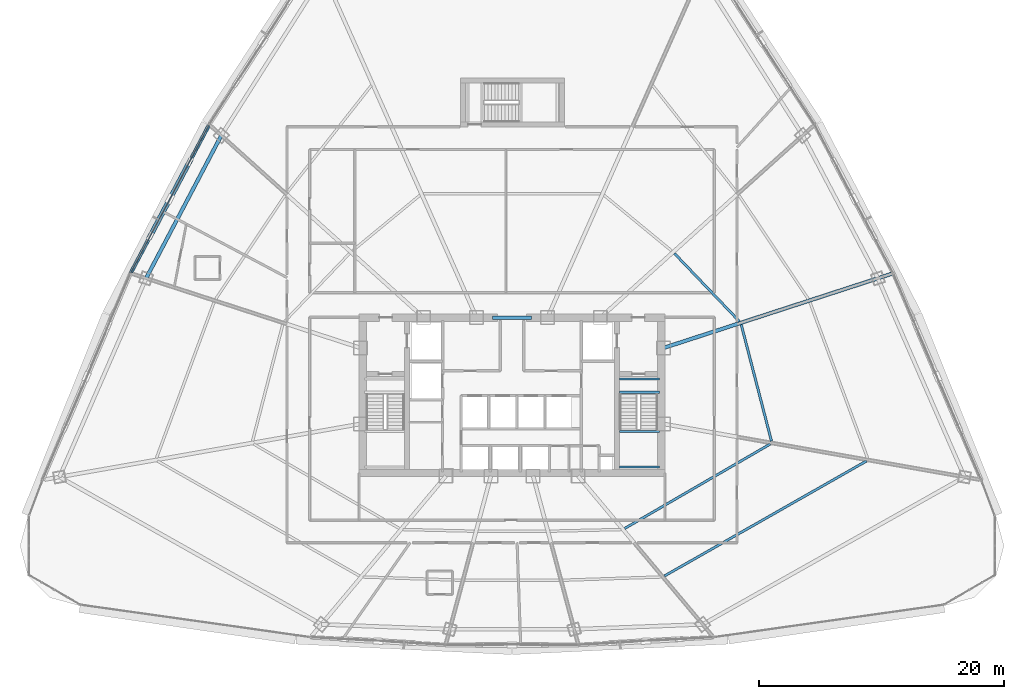
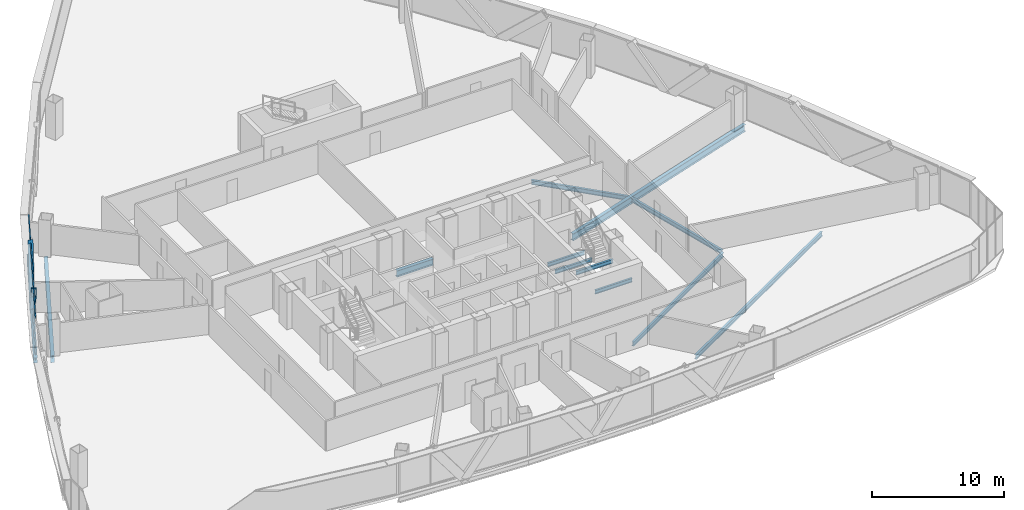
# One storey, part 17 of 42: 12 beams, 4 members, 1 element without a shape of its own.
"""IFC4 building model written with IfcOpenShell, lengths in metres."""

from ifc_helpers import new_model, si_unit, direction, frame, origin, origin_2d, place, context, subcontext, project, spatial, hollow_rectangle, i_section, extrude, source, transform, mapped, material, layer, layer_set, material_profile, profile_set, type_object, element, aggregate, save


model = new_model("IFC4")

# Units and contexts
model_context = context("Model", 3, precision=1e-05, world=origin(), true_north=direction((0.0, 1.0)))
body_context = subcontext(model_context, "Body", "Model", "MODEL_VIEW")
ifc_project = project(units=[si_unit("LENGTHUNIT", "METRE"), si_unit("AREAUNIT", "SQUARE_METRE"), si_unit("VOLUMEUNIT", "CUBIC_METRE"), si_unit("PLANEANGLEUNIT", "RADIAN"), si_unit("MASSUNIT", "GRAM", prefix="KILO"), si_unit("THERMODYNAMICTEMPERATUREUNIT", "KELVIN"), si_unit("POWERUNIT", "WATT")], contexts=[model_context])

# Site, building, storey
site_placement = place(None, origin())
site = spatial("IfcSite", under=ifc_project, at=site_placement, CompositionType="ELEMENT")
building_placement = place(site_placement, origin())
building = spatial("IfcBuilding", under=site, at=building_placement, Name="Yunzhuo Pagoda Commons", CompositionType="ELEMENT")
storey_placement = place(building_placement, frame((0.0, 0.0, 151.909912109375)))
storey = spatial("IfcBuildingStorey", under=building, at=storey_placement, Name="L38", CompositionType="ELEMENT", Elevation=151.909912109375)

# Beams
ifc_material_1 = material(Name="Structural steel Q355B", Category="steel")
ifc_material_profile_1 = material_profile(ifc_material_1, i_section(OverallWidth=0.175048828125, OverallDepth=0.35009765625, WebThickness=0.007080078125, FlangeThickness=0.010986328125, at=origin_2d()), Name="Structural steel Q355B")
ifc_profile_set_1 = profile_set([ifc_material_profile_1], Name="Structural steel Q355B")
beam_type_1 = type_object("IfcBeamType", Name="B-JS2 Joist HN 350x175x7x11", PredefinedType="JOIST", material=ifc_profile_set_1)
shared_shape_1 = source(origin(), body_context, "Body", "SweptSolid", [
    extrude(i_section(OverallWidth=0.175048828125, OverallDepth=0.35009765625, WebThickness=0.007080078125, FlangeThickness=0.010986328125, at=origin_2d()), origin(), (0.0, 0.0, 1.0), 3.25),
])
for number, where, z_axis, x_axis, name in (
    (1, (56.800048828125, 28.0, 1.465087890625), (1.0, 0.0, 0.0), (0.0, 1.0, 0.0), "L38 ST2 landing support beam 44A"),
    (2, (56.800048828125, 30.89990234375, 1.465087890625), (1.0, 0.0, 0.0), (0.0, 1.0, 0.0), "L38 ST2 landing support beam 44B"),
    (3, (56.800048828125, 34.10009765625, -0.375), (1.0, 0.0, 0.0), (0.0, 1.0, 0.0), "L38 ST2 landing support beam 142A"),
    (4, (56.800048828125, 35.199951171875, -0.375), (1.0, 0.0, 0.0), (0.0, 1.0, 0.0), "L38 ST2 landing support beam 142B"),
):
    element("IfcBeam", number, at=place(storey_placement, frame(where, z_axis=z_axis, x_axis=x_axis)), inside=storey, type_object=beam_type_1, Name=name, PredefinedType="JOIST", context=body_context, shape_type="MappedRepresentation", body=[
        mapped(shared_shape_1, transform((0.0, 0.0, 0.0), scale=1.0)),
    ])
ifc_material_2 = material(Name="Structural steel Q420B", Category="steel")
ifc_material_profile_2 = material_profile(ifc_material_2, i_section(OverallWidth=0.300048828125, OverallDepth=0.587890625, WebThickness=0.011962890625, FlangeThickness=0.02001953125, at=origin_2d()), Name="Structural steel Q420B")
ifc_profile_set_2 = profile_set([ifc_material_profile_2], Name="Structural steel Q420B")
beam_type_2 = type_object("IfcBeamType", Name="B-CPL Beam HM 588x300x12x20", PredefinedType="BEAM", material=ifc_profile_set_2)
shared_shape_2 = source(origin(), body_context, "Body", "SweptSolid", [
    extrude(i_section(OverallWidth=0.300048828125, OverallDepth=0.587890625, WebThickness=0.011962890625, FlangeThickness=0.02001953125, at=origin_2d()), origin(), (0.0, 0.0, 1.0), 3.2001953125),
])
beam_1_placement = place(storey_placement, frame((46.39990234375, 40.199951171875, -0.553955078125), z_axis=(1.0, 0.0, 0.0), x_axis=(0.0, 1.0, 0.0)))
element("IfcBeam", 5, at=beam_1_placement, inside=storey, type_object=beam_type_2, Name="L38 core coupling girder", PredefinedType="BEAM", context=body_context, shape_type="MappedRepresentation", body=[
    mapped(shared_shape_2, transform((0.0, 0.0, 0.0), scale=1.0)),
])
ifc_material_profile_3 = material_profile(ifc_material_1, i_section(OverallWidth=0.199951171875, OverallDepth=0.39990234375, WebThickness=0.008056640625, FlangeThickness=0.012939453125, at=origin_2d()), Name="Structural steel Q355B")
ifc_profile_set_3 = profile_set([ifc_material_profile_3], Name="Structural steel Q355B")
beam_type_3 = type_object("IfcBeamType", Name="B-JS1 Joist HN 400x200x8x13", PredefinedType="JOIST", material=ifc_profile_set_3)
shared_shape_3 = source(origin(), body_context, "Body", "SweptSolid", [
    extrude(i_section(OverallWidth=0.199951171875, OverallDepth=0.39990234375, WebThickness=0.008056640625, FlangeThickness=0.012939453125, at=origin_2d()), origin(), (0.0, 0.0, 1.0), 13.76416015625),
])
beam_2_placement = place(storey_placement, frame((57.2119140625, 22.96533203125, -0.4599609375), z_axis=(0.864967288101, 0.501828248025, 0.0), x_axis=(-0.501828248025, 0.864967288101, 0.0)))
element("IfcBeam", 6, at=beam_2_placement, inside=storey, type_object=beam_type_3, Name="L38 composite ring joist 1.4", PredefinedType="JOIST", context=body_context, shape_type="MappedRepresentation", body=[
    mapped(shared_shape_3, transform((0.0, 0.0, 0.0), scale=1.0)),
])
shared_shape_4 = source(origin(), body_context, "Body", "SweptSolid", [
    extrude(i_section(OverallWidth=0.199951171875, OverallDepth=0.39990234375, WebThickness=0.008056640625, FlangeThickness=0.012939453125, at=origin_2d()), origin(), (0.0, 0.0, 1.0), 19.007568359375),
])
beam_3_placement = place(storey_placement, frame((60.468017578125, 19.08447265625, -0.4599609375), z_axis=(0.869119947472, 0.494601371718, 0.0), x_axis=(-0.494601371718, 0.869119947472, 0.0)))
element("IfcBeam", 7, at=beam_3_placement, inside=storey, type_object=beam_type_3, Name="L38 composite ring joist 2.4", PredefinedType="JOIST", context=body_context, shape_type="MappedRepresentation", body=[
    mapped(shared_shape_4, transform((0.0, 0.0, 0.0), scale=1.0)),
])
shared_shape_5 = source(origin(), body_context, "Body", "SweptSolid", [
    extrude(i_section(OverallWidth=0.199951171875, OverallDepth=0.39990234375, WebThickness=0.008056640625, FlangeThickness=0.012939453125, at=origin_2d()), origin(), (0.0, 0.0, 1.0), 9.8330078125),
])
beam_4_placement = place(storey_placement, frame((69.215087890625, 30.10595703125, -0.4599609375), z_axis=(-0.251166367041, 0.967943932295, 0.0), x_axis=(-0.967943932295, -0.251166367041, 0.0)))
element("IfcBeam", 8, at=beam_4_placement, inside=storey, type_object=beam_type_3, Name="L38 composite ring joist 1.5", PredefinedType="JOIST", context=body_context, shape_type="MappedRepresentation", body=[
    mapped(shared_shape_5, transform((0.0, 0.0, 0.0), scale=1.0)),
])
ifc_material_profile_4 = material_profile(ifc_material_1, i_section(OverallWidth=0.300048828125, OverallDepth=0.64990234375, WebThickness=0.012939453125, FlangeThickness=0.02197265625, at=origin_2d()), Name="Structural steel Q355B")
ifc_profile_set_4 = profile_set([ifc_material_profile_4], Name="Structural steel Q355B")
beam_type_4 = type_object("IfcBeamType", Name="B-RG2 Beam HN 650x300x13x22", PredefinedType="BEAM", material=ifc_profile_set_4)
shared_shape_6 = source(origin(), body_context, "Body", "SweptSolid", [
    extrude(i_section(OverallWidth=0.300048828125, OverallDepth=0.64990234375, WebThickness=0.012939453125, FlangeThickness=0.02197265625, at=origin_2d()), origin(), (0.0, 0.0, 1.0), 13.198974609375),
])
beam_5_placement = place(storey_placement, frame((24.23388671875, 55.09912109375, -0.5849609375), z_axis=(-0.465885937554, -0.884844784801, 0.0), x_axis=(0.884844784801, -0.465885937554, 0.0)))
element("IfcBeam", 9, at=beam_5_placement, inside=storey, type_object=beam_type_4, Name="L38 column-ring beam 10", PredefinedType="BEAM", context=body_context, shape_type="MappedRepresentation", body=[
    mapped(shared_shape_6, transform((0.0, 0.0, 0.0), scale=1.0)),
])
shared_shape_7 = source(origin(), body_context, "Body", "SweptSolid", [
    extrude(i_section(OverallWidth=0.199951171875, OverallDepth=0.39990234375, WebThickness=0.008056640625, FlangeThickness=0.012939453125, at=origin_2d()), origin(), (0.0, 0.0, 1.0), 7.685546875),
])
beam_6_placement = place(storey_placement, frame((66.595703125, 39.892578125, -0.4599609375), z_axis=(-0.690882862648, 0.722966714378, 0.0), x_axis=(-0.722966714378, -0.690882862648, 0.0)))
element("IfcBeam", 10, at=beam_6_placement, inside=storey, type_object=beam_type_3, Name="L38 composite ring joist 1.6", PredefinedType="JOIST", context=body_context, shape_type="MappedRepresentation", body=[
    mapped(shared_shape_7, transform((0.0, 0.0, 0.0), scale=1.0)),
])
shared_shape_8 = source(origin(), body_context, "Body", "SweptSolid", [
    extrude(i_section(OverallWidth=0.300048828125, OverallDepth=0.64990234375, WebThickness=0.012939453125, FlangeThickness=0.02197265625, at=origin_2d()), origin(), (0.0, 0.0, 1.0), 19.594482421875),
])
beam_7_placement = place(storey_placement, frame((79.035400390625, 43.7841796875, -0.5849609375), z_axis=(-0.951054485202, -0.309023245365, 0.0), x_axis=(0.309023245365, -0.951054485202, 0.0)))
element("IfcBeam", 11, at=beam_7_placement, inside=storey, type_object=beam_type_4, Name="L38 radial floor girder F2C2", PredefinedType="BEAM", context=body_context, shape_type="MappedRepresentation", body=[
    mapped(shared_shape_8, transform((0.0, 0.0, 0.0), scale=1.0)),
])
ifc_material_profile_5 = material_profile(ifc_material_1, i_section(OverallWidth=0.300048828125, OverallDepth=0.488037109375, WebThickness=0.010986328125, FlangeThickness=0.01806640625, at=origin_2d()), Name="Structural steel Q355B")
ifc_profile_set_5 = profile_set([ifc_material_profile_5], Name="Structural steel Q355B")
beam_type_5 = type_object("IfcBeamType", Name="B-SP1 Beam HM 488x300x11x18", PredefinedType="BEAM", material=ifc_profile_set_5)
shared_shape_9 = source(origin(), body_context, "Body", "SweptSolid", [
    extrude(i_section(OverallWidth=0.300048828125, OverallDepth=0.488037109375, WebThickness=0.010986328125, FlangeThickness=0.01806640625, at=origin_2d()), origin(), (0.0, 0.0, 1.0), 13.75244140625),
])
beam_8_placement = place(storey_placement, frame((23.244384765625, 55.989990234375, -0.50390625), z_axis=(-0.467350934474, -0.884071888506, 0.0), x_axis=(0.884071888506, -0.467350934474, 0.0)))
element("IfcBeam", 12, at=beam_8_placement, inside=storey, type_object=beam_type_5, Name="L38 facade edge spandrel beam F3.2", PredefinedType="BEAM", context=body_context, shape_type="MappedRepresentation", body=[
    mapped(shared_shape_9, transform((0.0, 0.0, 0.0), scale=1.0)),
])

# Members
ifc_material_profile_6 = material_profile(ifc_material_1, hollow_rectangle(XDim=0.39990234375, YDim=0.719970703125, WallThickness=0.02392578125, at=origin_2d()), Name="Structural steel Q355B")
ifc_profile_set_6 = profile_set([ifc_material_profile_6], Name="Structural steel Q355B")
member_type_1 = type_object("IfcMemberType", Name="M-DL2 Brace BOX 720x400x24", PredefinedType="BRACE", material=ifc_profile_set_6)
shared_shape_10 = source(origin(), body_context, "Body", "SweptSolid", [
    extrude(hollow_rectangle(XDim=0.39990234375, YDim=0.719970703125, WallThickness=0.02392578125, at=origin_2d()), origin(), (0.0, 0.0, 1.0), 5.036376953125),
])
for number, where, z_axis, x_axis, name in (
    (13, (20.031005859375, 49.910888671875, -0.260009765625), (0.319014370283, 0.60356297286, 0.730713055409), (-0.884102064629, 0.467293846866, 0.0), "L38 facade diamond brace F3.2L"),
    (14, (20.031005859375, 49.910888671875, -0.260009765625), (-0.319067245681, -0.603522821138, 0.730723132999), (0.884057218692, -0.467378683809, 0.0), "L38 facade diamond brace F3.2R"),
):
    element("IfcMember", number, at=place(storey_placement, frame(where, z_axis=z_axis, x_axis=x_axis)), inside=storey, type_object=member_type_1, Name=name, PredefinedType="BRACE", context=body_context, shape_type="MappedRepresentation", body=[
        mapped(shared_shape_10, transform((0.0, 0.0, 0.0), scale=1.0)),
    ])

# Curtain wall, members
ifc_material_3 = material(Name="Anodized aluminium 6063-T6", Category="aluminium")
ifc_layer = layer(ifc_material_3, 0.14990234375)
ifc_layer_set = layer_set([ifc_layer], Name="Anodized aluminium 6063-T6")
curtain_wall_type = type_object("IfcCurtainWallType", Name="CW-MID Mid-Zone Ribbon Curtain Wall", PredefinedType="NOTDEFINED", material=ifc_layer_set)
curtain_wall_placement = place(storey_placement, origin())
curtain_wall = element("IfcCurtainWall", 15, at=curtain_wall_placement, inside=storey, type_object=curtain_wall_type, Name="L38 curtain wall CW-L38-F3B3", PredefinedType="NOTDEFINED")
ifc_material_profile_7 = material_profile(ifc_material_3, hollow_rectangle(XDim=0.054931640625, YDim=0.1298828125, WallThickness=0.00341796875, at=origin_2d()), Name="Anodized aluminium 6063-T6")
ifc_profile_set_7 = profile_set([ifc_material_profile_7], Name="Anodized aluminium 6063-T6")
member_type_2 = type_object("IfcMemberType", Name="CW-MID-T Transom RHS 130x55x3.5", PredefinedType="USERDEFINED", material=ifc_profile_set_7)
shared_shape_11 = source(origin(), body_context, "Body", "SweptSolid", [
    extrude(hollow_rectangle(XDim=0.054931640625, YDim=0.1298828125, WallThickness=0.00341796875, at=origin_2d()), origin(), (0.0, 0.0, 1.0), 13.632568359375),
])
member_1_placement = place(storey_placement, frame((23.216552734375, 55.93701171875, 0.027587890625), z_axis=(-0.467364316049, -0.884064814414, 0.0), x_axis=(0.884064814414, -0.467364316049, 0.0)))
member_1 = element("IfcMember", 16, at=member_1_placement, type_object=member_type_2, Name="CW transom 1.1", ObjectType="TRANSOM", PredefinedType="USERDEFINED", context=body_context, shape_type="MappedRepresentation", body=[
    mapped(shared_shape_11, transform((0.0, 0.0, 0.0), scale=1.0)),
])
member_2_placement = place(storey_placement, frame((23.216552734375, 55.93701171875, 3.392578125), z_axis=(-0.467364316049, -0.884064814414, 0.0), x_axis=(0.884064814414, -0.467364316049, 0.0)))
member_2 = element("IfcMember", 17, at=member_2_placement, type_object=member_type_2, Name="CW transom 1.2", ObjectType="TRANSOM", PredefinedType="USERDEFINED", context=body_context, shape_type="MappedRepresentation", body=[
    mapped(shared_shape_11, transform((0.0, 0.0, 0.0), scale=1.0)),
])
aggregate(curtain_wall, [member_1, member_2])

save(model, "model.ifc")
